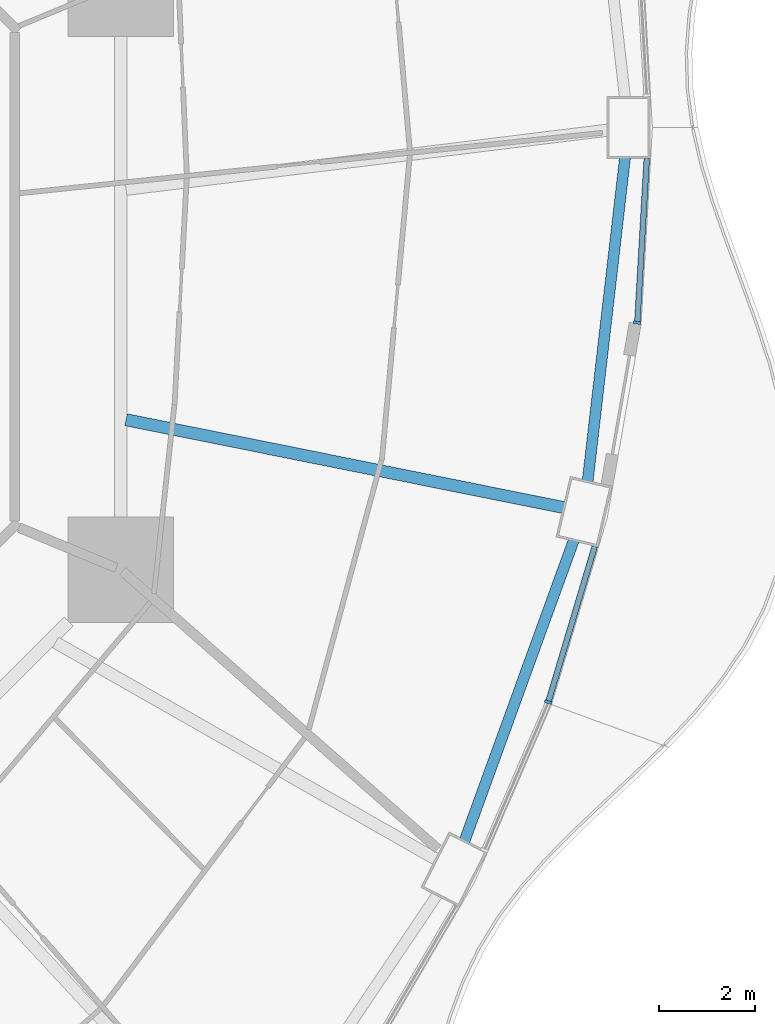
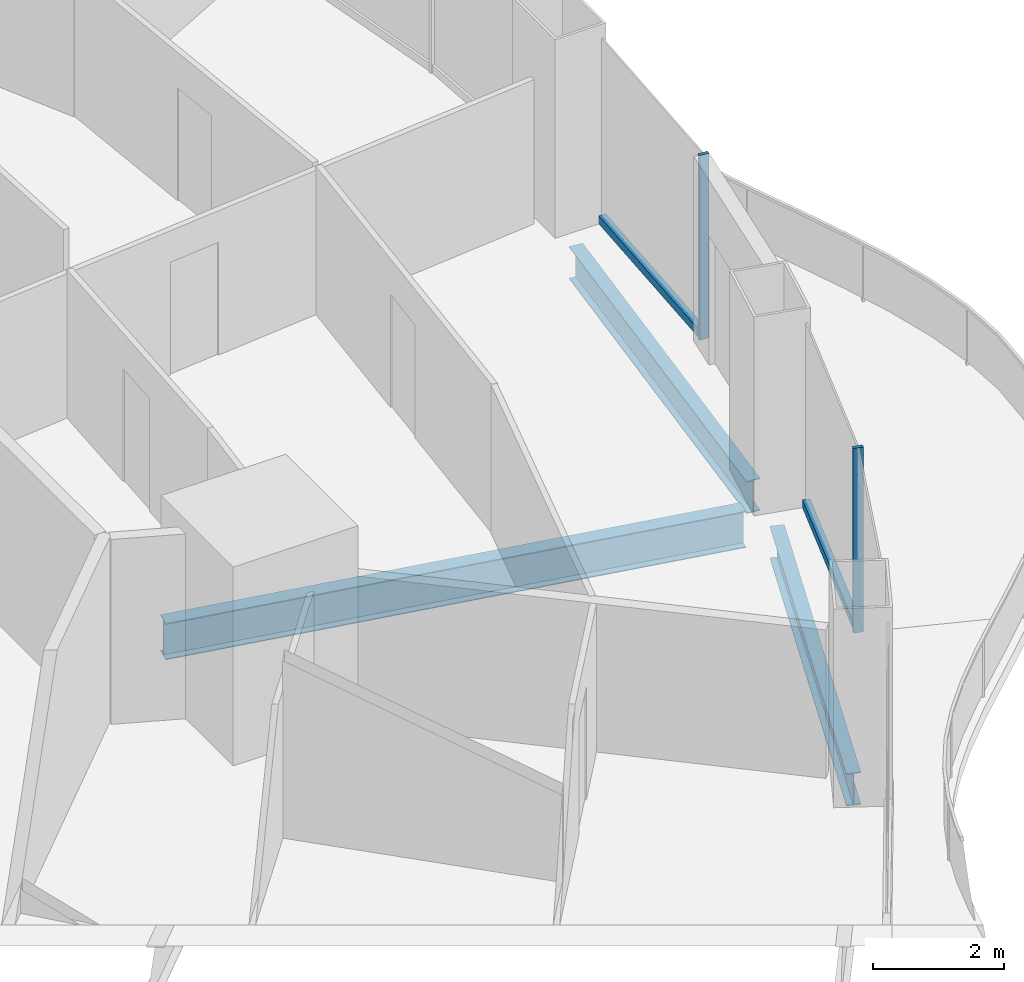
# One storey, part 6 of 24: 4 members, 3 beams, 2 elements without a shape of their own.
"""IFC4 building model written with IfcOpenShell, lengths in metres."""

from ifc_helpers import new_model, si_unit, direction, frame, origin, origin_2d, place, context, subcontext, project, spatial, rectangle, i_section, extrude, material, layer, layer_set, material_profile, profile_set, type_object, element, aggregate, save


model = new_model("IFC4")

# Units and contexts
model_context = context("Model", 3, precision=1e-05, world=origin(), true_north=direction((0.0, 1.0)))
body_context = subcontext(model_context, "Body", "Model", "MODEL_VIEW")
ifc_project = project(units=[si_unit("LENGTHUNIT", "METRE"), si_unit("AREAUNIT", "SQUARE_METRE"), si_unit("VOLUMEUNIT", "CUBIC_METRE"), si_unit("PLANEANGLEUNIT", "RADIAN"), si_unit("MASSUNIT", "GRAM", prefix="KILO")], contexts=[model_context])

# Site, building, storey
site_placement = place(None, origin())
site = spatial("IfcSite", under=ifc_project, at=site_placement, CompositionType="ELEMENT")
building_placement = place(site_placement, origin())
building = spatial("IfcBuilding", under=site, at=building_placement, Name="Nagisa Residences", CompositionType="ELEMENT")
storey_placement = place(building_placement, frame((0.0, 0.0, 102.89990234375)))
storey = spatial("IfcBuildingStorey", under=building, at=storey_placement, Name="L25", CompositionType="ELEMENT", Elevation=102.89990234375)

# Curtain wall, member
ifc_material_1 = material(Name="Concrete-coloured aluminium curtain wall system", Category="concrete")
ifc_layer = layer(ifc_material_1, 0.159912109375)
ifc_layer_set = layer_set([ifc_layer], Name="CW1 CURTAIN WALL")
curtain_wall_type = type_object("IfcCurtainWallType", Name="CW1 CURTAIN WALL", PredefinedType="NOTDEFINED", material=ifc_layer_set)
curtain_wall_1_placement = place(storey_placement, origin())
curtain_wall_1 = element("IfcCurtainWall", 1, at=curtain_wall_1_placement, inside=storey, type_object=curtain_wall_type, Name="cw:CW1:L25:45", PredefinedType="NOTDEFINED")
ifc_material_2 = material(Name="Concrete-coloured aluminium", Category="concrete")
ifc_material_profile_1 = material_profile(ifc_material_2, rectangle(XDim=0.159912109375, YDim=0.06005859375, at=origin_2d()), Name="CW1 MULLION 160x60")
ifc_profile_set_1 = profile_set([ifc_material_profile_1], Name="Concrete-coloured aluminium")
member_type_1 = type_object("IfcMemberType", Name="CW1 MULLION 160x60", PredefinedType="MULLION", material=ifc_profile_set_1)
member_1_placement = place(storey_placement, frame((23.71875, -8.890869140625, 0.0), z_axis=(0.0, 0.0, 1.0), x_axis=(-0.958271310082, 0.285860274038, 0.0)))
member_1 = element("IfcMember", 2, at=member_1_placement, type_object=member_type_1, Name="CW1 mullion", PredefinedType="MULLION", context=body_context, shape_type="SweptSolid", body=[
    extrude(rectangle(XDim=0.159912109375, YDim=0.06005859375, at=origin_2d()), origin(), (0.0, 0.0, 1.0), 3.440185546875),
])

curtain_wall_2_placement = place(storey_placement, origin())
curtain_wall_2 = element("IfcCurtainWall", 3, at=curtain_wall_2_placement, inside=storey, type_object=curtain_wall_type, Name="cw:CW1:L25:47", PredefinedType="NOTDEFINED")
member_2_placement = place(storey_placement, frame((25.579833984375, -0.961181640625, 0.0), z_axis=(0.0, 0.0, 1.0), x_axis=(-0.998345305184, 0.057503492216, 0.0)))
member_2 = element("IfcMember", 4, at=member_2_placement, type_object=member_type_1, Name="CW1 mullion", PredefinedType="MULLION", context=body_context, shape_type="SweptSolid", body=[
    extrude(rectangle(XDim=0.159912109375, YDim=0.06005859375, at=origin_2d()), origin(), (0.0, 0.0, 1.0), 3.440185546875),
])

# Member
ifc_material_3 = material(Name="Concrete-coloured aluminium", Category="concrete")
ifc_material_profile_2 = material_profile(ifc_material_3, rectangle(XDim=0.1201171875, YDim=0.14990234375, at=origin_2d()), Name="CW1 TRANSOM 120x150")
ifc_profile_set_2 = profile_set([ifc_material_profile_2], Name="Concrete-coloured aluminium")
member_type_2 = type_object("IfcMemberType", Name="CW1 TRANSOM 120x150", PredefinedType="USERDEFINED", material=ifc_profile_set_2)
member_3_placement = place(storey_placement, frame((23.710205078125, -8.919677734375, 0.0751953125), z_axis=(0.285882094477, 0.958264800594, 0.0), x_axis=(-0.958264800594, 0.285882094477, 0.0)))
member_3 = element("IfcMember", 5, at=member_3_placement, type_object=member_type_2, Name="CW1 transom", ObjectType="TRANSOM", PredefinedType="USERDEFINED", context=body_context, shape_type="SweptSolid", body=[
    extrude(rectangle(XDim=0.1201171875, YDim=0.14990234375, at=origin_2d()), origin(), (0.0, 0.0, 1.0), 3.423583984375),
])

aggregate(curtain_wall_1, [member_1, member_3])

member_4_placement = place(storey_placement, frame((25.578125, -0.9912109375, 0.0751953125), z_axis=(0.057546644052, 0.998342818754, 0.0), x_axis=(-0.998342818754, 0.057546644052, 0.0)))
member_4 = element("IfcMember", 6, at=member_4_placement, type_object=member_type_2, Name="CW1 transom", ObjectType="TRANSOM", PredefinedType="USERDEFINED", context=body_context, shape_type="SweptSolid", body=[
    extrude(rectangle(XDim=0.1201171875, YDim=0.14990234375, at=origin_2d()), origin(), (0.0, 0.0, 1.0), 3.470458984375),
])

aggregate(curtain_wall_2, [member_2, member_4])

# Beams
ifc_material_4 = material(Name="Steel ASTM A572 Gr 50", Category="steel")
ifc_material_profile_3 = material_profile(ifc_material_4, i_section(OverallWidth=0.22802734375, OverallDepth=0.60302734375, WebThickness=0.010498046875, FlangeThickness=0.014892578125, at=origin_2d()), Name="W610x101")
ifc_profile_set_3 = profile_set([ifc_material_profile_3], Name="Steel ASTM A572 Gr 50")
beam_type_1 = type_object("IfcBeamType", Name="Perimeter ring beam W610x101", PredefinedType="BEAM", material=ifc_profile_set_3)
beam_1_placement = place(storey_placement, frame((21.96826171875, -11.793212890625, -0.5615234375), z_axis=(0.341365002286, 0.939930814057, 0.0), x_axis=(-0.939930814057, 0.341365002286, 0.0)))
element("IfcBeam", 7, at=beam_1_placement, inside=storey, type_object=beam_type_1, Name="beam:L25:pb23", PredefinedType="BEAM", context=body_context, shape_type="SweptSolid", body=[
    extrude(i_section(OverallWidth=0.22802734375, OverallDepth=0.60302734375, WebThickness=0.010498046875, FlangeThickness=0.014892578125, at=origin_2d()), origin(), (0.0, 0.0, 1.0), 6.689208984375),
])
beam_2_placement = place(storey_placement, frame((24.541015625, -4.279296875, -0.5615234375), z_axis=(0.114690766503, 0.993401242237, 0.0), x_axis=(-0.993401242237, 0.114690766503, 0.0)))
element("IfcBeam", 8, at=beam_2_placement, inside=storey, type_object=beam_type_1, Name="beam:L25:pb24", PredefinedType="BEAM", context=body_context, shape_type="SweptSolid", body=[
    extrude(i_section(OverallWidth=0.22802734375, OverallDepth=0.60302734375, WebThickness=0.010498046875, FlangeThickness=0.014892578125, at=origin_2d()), origin(), (0.0, 0.0, 1.0), 6.811767578125),
])
ifc_material_5 = material(Name="Steel ASTM A572 Gr 50", Category="steel")
ifc_material_profile_4 = material_profile(ifc_material_5, i_section(OverallWidth=0.2529296875, OverallDepth=0.677978515625, WebThickness=0.01171875, FlangeThickness=0.016357421875, at=origin_2d()), Name="W690x125")
ifc_profile_set_4 = profile_set([ifc_material_profile_4], Name="Steel ASTM A572 Gr 50")
beam_type_2 = type_object("IfcBeamType", Name="Radial beam W690x125", PredefinedType="BEAM", material=ifc_profile_set_4)
beam_3_placement = place(storey_placement, frame((24.046630859375, -4.824951171875, -0.598876953125), z_axis=(-0.980459769656, 0.196719699282, 0.0), x_axis=(-0.196719699282, -0.980459769656, 0.0)))
element("IfcBeam", 9, at=beam_3_placement, inside=storey, type_object=beam_type_2, Name="beam:L25:rb24", PredefinedType="BEAM", context=body_context, shape_type="SweptSolid", body=[
    extrude(i_section(OverallWidth=0.2529296875, OverallDepth=0.677978515625, WebThickness=0.01171875, FlangeThickness=0.016357421875, at=origin_2d()), origin(), (0.0, 0.0, 1.0), 9.333984375),
])

save(model, "model.ifc")
